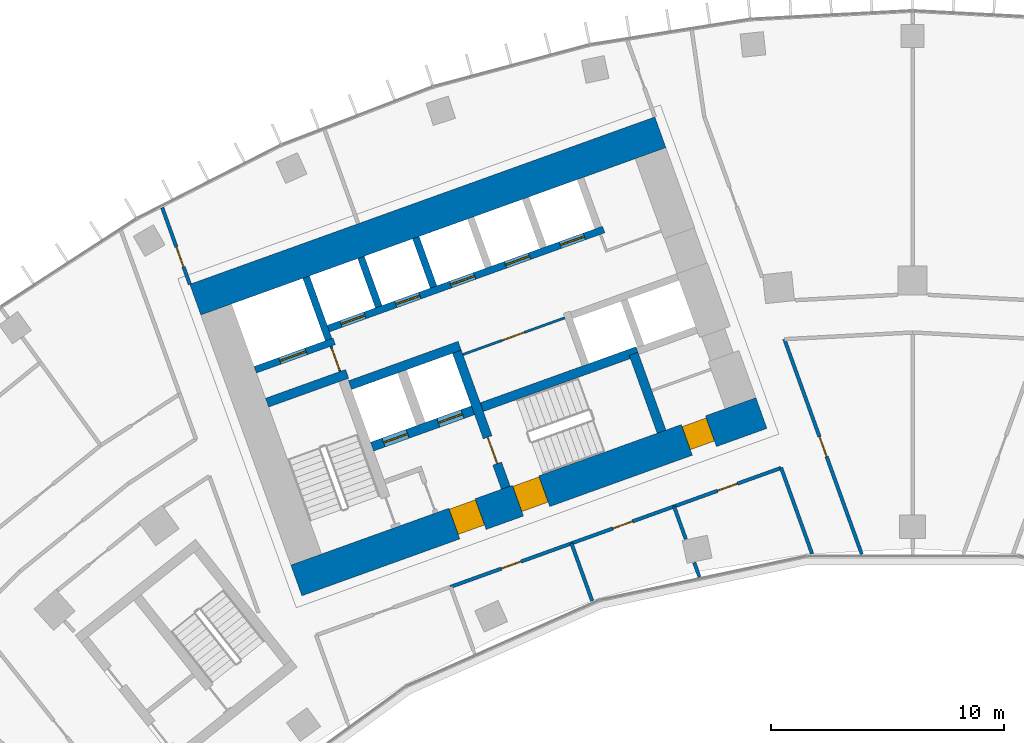
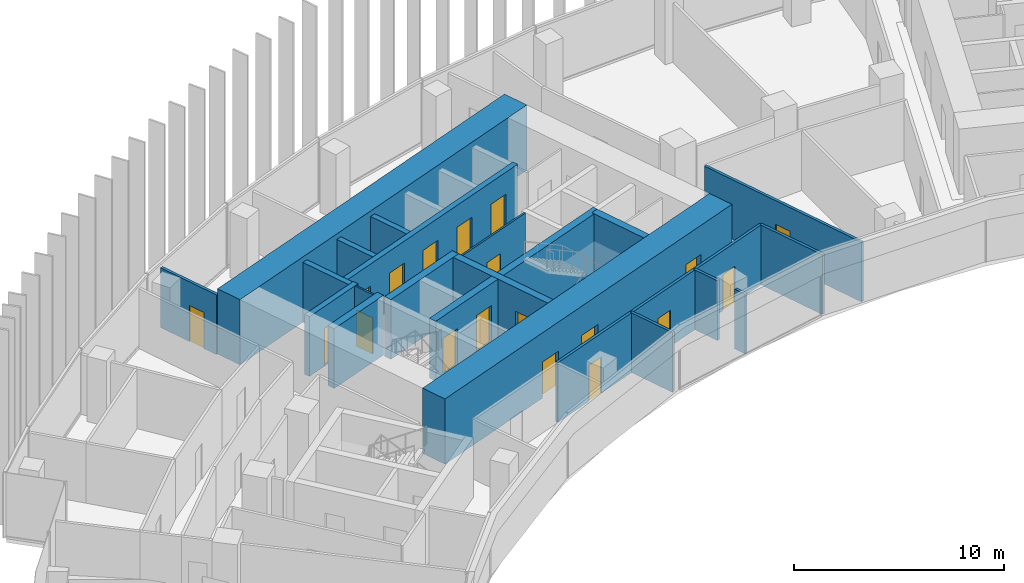
# One storey, part 16 of 22: 23 walls, 19 doors, 19 openings.
"""IFC4 building model written with IfcOpenShell, lengths in metres."""

from ifc_helpers import new_model, si_unit, direction, frame, frame_2d, origin, place, context, subcontext, project, spatial, rectangle, extrude, material, layer, layer_set, type_object, element, fill, save


model = new_model("IFC4")

# Units and contexts
model_context = context("Model", 3, precision=1e-05, world=origin(), true_north=direction((0.0, 1.0)))
body_context = subcontext(model_context, "Body", "Model", "MODEL_VIEW")
ifc_project = project(units=[si_unit("LENGTHUNIT", "METRE"), si_unit("AREAUNIT", "SQUARE_METRE"), si_unit("VOLUMEUNIT", "CUBIC_METRE"), si_unit("PLANEANGLEUNIT", "RADIAN"), si_unit("MASSUNIT", "GRAM", prefix="KILO")], contexts=[model_context])

# Site, building, storey
site_placement = place(None, origin())
site = spatial("IfcSite", under=ifc_project, at=site_placement, CompositionType="ELEMENT")
building_placement = place(site_placement, origin())
building = spatial("IfcBuilding", under=site, at=building_placement, Name="Stone Belt Terrace Tower", CompositionType="ELEMENT")
storey_placement = place(building_placement, frame((0.0, 0.0, 155.39990234375)))
storey = spatial("IfcBuildingStorey", under=building, at=storey_placement, Name="L37", CompositionType="ELEMENT", Elevation=155.39990234375)

# Wall, opening, door
ifc_material_1 = material(Name="Plasterboard partition")
ifc_layer_1 = layer(ifc_material_1, 0.10009765625)
ifc_layer_set_1 = layer_set([ifc_layer_1], Name="Core partition 100")
wall_type_1 = type_object("IfcWallType", Name="Core partition 100", PredefinedType="PARTITIONING", material=ifc_layer_set_1)
wall_1_placement = place(storey_placement, frame((-24.555908203125, 51.10400390625, 0.0), z_axis=(0.0, 0.0, 1.0), x_axis=(-0.338621735342, 0.94092258999, 0.0)))
wall_1 = element("IfcWall", 1, at=wall_1_placement, inside=storey, type_object=wall_type_1, Name="Core A wall", PredefinedType="PARTITIONING", context=body_context, shape_type="SweptSolid", body=[
    extrude(rectangle(XDim=1.14990234375, YDim=0.10009765625, at=frame_2d((0.574951171875, 0.0))), origin(), (0.0, 0.0, 1.0), 3.47998046875),
])
opening_1_placement = place(wall_1_placement, frame((0.050048828125, 0.0, 0.0)))
opening_1 = element("IfcOpeningElement", 2, at=opening_1_placement, cuts=wall_1, Name="Opening L37-C03", PredefinedType="OPENING", context=body_context, shape_type="SweptSolid", body=[
    extrude(rectangle(XDim=1.0, YDim=2.10009765625, at=frame_2d((0.5, 1.050048828125))), frame((0.0, 0.06005859375, 0.0), z_axis=(0.0, -1.0, 0.0), x_axis=(1.0, 0.0, 0.0)), (0.0, 0.0, 1.0), 0.1201171875),
])
ifc_material_2 = material(Name="Timber door leaf", Category="wood")
door_type_1 = type_object("IfcDoorType", Name="Core room door 1000", OperationType="SINGLE_SWING_LEFT", PredefinedType="DOOR", material=ifc_material_2)
door_1_placement = place(opening_1_placement, origin())
door_1 = element("IfcDoor", 3, at=door_1_placement, inside=storey, type_object=door_type_1, Name="Service lift lobby door core A", OperationType="SINGLE_SWING_LEFT", OverallHeight=2.10009765625, OverallWidth=1.0, PredefinedType="DOOR", context=body_context, shape_type="SweptSolid", body=[
    extrude(rectangle(XDim=1.0, YDim=2.10009765625, at=frame_2d((0.5, 1.050048828125))), frame((0.0, 0.02490234375, 0.0), z_axis=(0.0, -1.0, 0.0), x_axis=(1.0, 0.0, 0.0)), (0.0, 0.0, 1.0), 0.050048828125),
])
fill(opening_1, door_1)

wall_2_placement = place(storey_placement, frame((-19.29052734375, 51.829833984375, 0.0), z_axis=(0.0, 0.0, 1.0), x_axis=(0.940930240745, 0.338600475563, 0.0)))
wall_2 = element("IfcWall", 4, at=wall_2_placement, inside=storey, type_object=wall_type_1, Name="Core A wall", PredefinedType="PARTITIONING", context=body_context, shape_type="SweptSolid", body=[
    extrude(rectangle(XDim=4.64990234375, YDim=0.10009765625, at=frame_2d((2.324951171875, 0.0))), origin(), (0.0, 0.0, 1.0), 3.47998046875),
])
opening_2_placement = place(wall_2_placement, frame((1.800048828125, 0.0, 0.0)))
opening_2 = element("IfcOpeningElement", 5, at=opening_2_placement, cuts=wall_2, Name="Opening L37-C02", PredefinedType="OPENING", context=body_context, shape_type="SweptSolid", body=[
    extrude(rectangle(XDim=1.0, YDim=2.10009765625, at=frame_2d((0.5, 1.050048828125))), frame((0.0, 0.06005859375, 0.0), z_axis=(0.0, -1.0, 0.0), x_axis=(1.0, 0.0, 0.0)), (0.0, 0.0, 1.0), 0.1201171875),
])
door_2_placement = place(opening_2_placement, origin())
door_2 = element("IfcDoor", 6, at=door_2_placement, inside=storey, type_object=door_type_1, Name="Door to Server room core A", OperationType="SINGLE_SWING_LEFT", OverallHeight=2.10009765625, OverallWidth=1.0, PredefinedType="DOOR", context=body_context, shape_type="SweptSolid", body=[
    extrude(rectangle(XDim=1.0, YDim=2.10009765625, at=frame_2d((0.5, 1.050048828125))), frame((0.0, 0.02490234375, 0.0), z_axis=(0.0, -1.0, 0.0), x_axis=(1.0, 0.0, 0.0)), (0.0, 0.0, 1.0), 0.050048828125),
])
fill(opening_2, door_2)

# Wall, openings, doors
ifc_material_3 = material(Name="Concrete B80", Category="concrete")
ifc_layer_2 = layer(ifc_material_3, 1.39990234375)
ifc_layer_set_2 = layer_set([ifc_layer_2], Name="Core wall 1400 B80")
wall_type_2 = type_object("IfcWallType", Name="Core wall 1400 B80", PredefinedType="SHEAR", material=ifc_layer_set_2)
wall_3_placement = place(storey_placement, frame((-26.430908203125, 42.139404296875, 0.0), z_axis=(0.0, 0.0, 1.0), x_axis=(0.940923374003, 0.33861955681, 0.0)))
wall_3 = element("IfcWall", 7, at=wall_3_placement, inside=storey, type_object=wall_type_2, Name="Core A wall concave L37", PredefinedType="SHEAR", context=body_context, shape_type="SweptSolid", body=[
    extrude(rectangle(XDim=21.199951171875, YDim=1.39990234375, at=frame_2d((10.60009765625, 0.0))), origin(), (0.0, 0.0, 1.0), 3.800048828125),
])
opening_3_placement = place(wall_3_placement, frame((7.199951171875, 0.0, 0.0)))
opening_3 = element("IfcOpeningElement", 8, at=opening_3_placement, cuts=wall_3, Name="Opening L37-C07", PredefinedType="OPENING", context=body_context, shape_type="SweptSolid", body=[
    extrude(rectangle(XDim=1.199951171875, YDim=2.10009765625, at=frame_2d((0.60009765625, 1.050048828125))), frame((0.0, 0.7099609375, 0.0), z_axis=(0.0, -1.0, 0.0), x_axis=(1.0, 0.0, 0.0)), (0.0, 0.0, 1.0), 1.419921875),
])
opening_4_placement = place(wall_3_placement, frame((10.099853515625, 0.0, 0.0)))
opening_4 = element("IfcOpeningElement", 9, at=opening_4_placement, cuts=wall_3, Name="Opening L37-C09", PredefinedType="OPENING", context=body_context, shape_type="SweptSolid", body=[
    extrude(rectangle(XDim=1.199951171875, YDim=2.10009765625, at=frame_2d((0.60009765625, 1.050048828125))), frame((0.0, 0.7099609375, 0.0), z_axis=(0.0, -1.0, 0.0), x_axis=(1.0, 0.0, 0.0)), (0.0, 0.0, 1.0), 1.419921875),
])
opening_5_placement = place(wall_3_placement, frame((17.800048828125, 0.0, 0.0)))
opening_5 = element("IfcOpeningElement", 10, at=opening_5_placement, cuts=wall_3, Name="Opening L37-C11", PredefinedType="OPENING", context=body_context, shape_type="SweptSolid", body=[
    extrude(rectangle(XDim=1.10009765625, YDim=2.10009765625, at=frame_2d((0.550048828125, 1.050048828125))), frame((0.0, 0.7099609375, 0.0), z_axis=(0.0, -1.0, 0.0), x_axis=(1.0, 0.0, 0.0)), (0.0, 0.0, 1.0), 1.419921875),
])
door_type_2 = type_object("IfcDoorType", Name="Core room door 1100", OperationType="SINGLE_SWING_LEFT", PredefinedType="DOOR", material=ifc_material_2)
door_3_placement = place(opening_5_placement, origin())
door_3 = element("IfcDoor", 11, at=door_3_placement, inside=storey, type_object=door_type_2, Name="Door to Cleaner's store core A", OperationType="SINGLE_SWING_LEFT", OverallHeight=2.10009765625, OverallWidth=1.10009765625, PredefinedType="DOOR", context=body_context, shape_type="SweptSolid", body=[
    extrude(rectangle(XDim=1.10009765625, YDim=2.10009765625, at=frame_2d((0.550048828125, 1.050048828125))), frame((0.0, 0.60498046875, 0.0), z_axis=(0.0, -1.0, 0.0), x_axis=(1.0, 0.0, 0.0)), (0.0, 0.0, 1.0), 1.050048828125),
])
fill(opening_5, door_3)
ifc_material_4 = material(Name="Steel door leaf", Category="steel")
door_type_3 = type_object("IfcDoorType", Name="Fire-fighting lobby door 1200", OperationType="SINGLE_SWING_LEFT", PredefinedType="DOOR", material=ifc_material_4)
door_4_placement = place(opening_3_placement, origin())
door_4 = element("IfcDoor", 12, at=door_4_placement, inside=storey, type_object=door_type_3, Name="Fire-fighting lobby door core A", OperationType="SINGLE_SWING_LEFT", OverallHeight=2.10009765625, OverallWidth=1.199951171875, PredefinedType="DOOR", context=body_context, shape_type="SweptSolid", body=[
    extrude(rectangle(XDim=1.199951171875, YDim=2.10009765625, at=frame_2d((0.60009765625, 1.050048828125))), frame((0.0, 0.655029296875, 0.0), z_axis=(0.0, -1.0, 0.0), x_axis=(1.0, 0.0, 0.0)), (0.0, 0.0, 1.0), 1.14990234375),
])
fill(opening_3, door_4)
door_type_4 = type_object("IfcDoorType", Name="Stair door 1200", OperationType="SINGLE_SWING_LEFT", PredefinedType="DOOR", material=ifc_material_4)
door_5_placement = place(opening_4_placement, origin())
door_5 = element("IfcDoor", 13, at=door_5_placement, inside=storey, type_object=door_type_4, Name="Stair 2 exit door core A", OperationType="SINGLE_SWING_RIGHT", OverallHeight=2.10009765625, OverallWidth=1.199951171875, PredefinedType="DOOR", context=body_context, shape_type="SweptSolid", body=[
    extrude(rectangle(XDim=1.199951171875, YDim=2.10009765625, at=frame_2d((0.60009765625, 1.050048828125))), frame((0.0, 0.655029296875, 0.0), z_axis=(0.0, -1.0, 0.0), x_axis=(1.0, 0.0, 0.0)), (0.0, 0.0, 1.0), 1.14990234375),
])
fill(opening_4, door_5)

# Walls
wall_4_placement = place(storey_placement, frame((-30.765380859375, 54.18310546875, 0.0), z_axis=(0.0, 0.0, 1.0), x_axis=(0.940919704758, 0.338629752382, 0.0)))
element("IfcWall", 14, at=wall_4_placement, inside=storey, type_object=wall_type_2, Name="Core A wall convex L37", PredefinedType="SHEAR", context=body_context, shape_type="SweptSolid", body=[
    extrude(rectangle(XDim=21.199951171875, YDim=1.39990234375, at=frame_2d((10.60009765625, 0.0))), origin(), (0.0, 0.0, 1.0), 3.800048828125),
])
ifc_layer_3 = layer(ifc_material_3, 0.39990234375)
ifc_layer_set_3 = layer_set([ifc_layer_3], Name="Fire-fighting lift shaft wall 400")
wall_type_3 = type_object("IfcWallType", Name="Fire-fighting lift shaft wall 400", PredefinedType="SHEAR", material=ifc_layer_set_3)
wall_5_placement = place(storey_placement, frame((-24.130615234375, 50.512939453125, 0.0), z_axis=(0.0, 0.0, 1.0), x_axis=(0.94091168377, 0.338652038744, 0.0)))
element("IfcWall", 15, at=wall_5_placement, inside=storey, type_object=wall_type_3, Name="Core A wall", PredefinedType="SHEAR", context=body_context, shape_type="SweptSolid", body=[
    extrude(rectangle(XDim=5.000244140625, YDim=0.39990234375, at=frame_2d((2.5, 0.0))), origin(), (0.0, 0.0, 1.0), 3.47998046875),
])

# Wall, opening, door
ifc_layer_4 = layer(ifc_material_3, 0.300048828125)
ifc_layer_set_4 = layer_set([ifc_layer_4], Name="Lift shaft wall 300")
wall_type_4 = type_object("IfcWallType", Name="Lift shaft wall 300", PredefinedType="SHEAR", material=ifc_layer_set_4)
wall_6_placement = place(storey_placement, frame((-28.195068359375, 51.17578125, 0.0), z_axis=(0.0, 0.0, 1.0), x_axis=(0.940901243567, 0.338681044427, 0.0)))
wall_6 = element("IfcWall", 16, at=wall_6_placement, inside=storey, type_object=wall_type_4, Name="Core A wall", PredefinedType="SHEAR", context=body_context, shape_type="SweptSolid", body=[
    extrude(rectangle(XDim=3.599853515625, YDim=0.300048828125, at=frame_2d((1.7998046875, 0.0))), origin(), (0.0, 0.0, 1.0), 3.47998046875),
])
opening_6_placement = place(wall_6_placement, frame((1.1201171875, 0.0, 0.0)))
opening_6 = element("IfcOpeningElement", 17, at=opening_6_placement, cuts=wall_6, Name="Opening L37-LD08", PredefinedType="OPENING", context=body_context, shape_type="SweptSolid", body=[
    extrude(rectangle(XDim=1.199951171875, YDim=2.199951171875, at=frame_2d((0.60009765625, 1.10009765625))), frame((0.0, 0.159912109375, 0.0), z_axis=(0.0, -1.0, 0.0), x_axis=(1.0, 0.0, 0.0)), (0.0, 0.0, 1.0), 0.320068359375),
])
ifc_material_5 = material(Name="Stainless steel door leaf", Category="steel")
door_type_5 = type_object("IfcDoorType", Name="Landing door 1200", OperationType="SLIDING_TO_LEFT", PredefinedType="DOOR", material=ifc_material_5)
door_6_placement = place(opening_6_placement, origin())
door_6 = element("IfcDoor", 18, at=door_6_placement, inside=storey, type_object=door_type_5, Name="Landing door SV1 core A", OperationType="SLIDING_TO_LEFT", OverallHeight=2.199951171875, OverallWidth=1.199951171875, PredefinedType="DOOR", context=body_context, shape_type="SweptSolid", body=[
    extrude(rectangle(XDim=1.199951171875, YDim=2.199951171875, at=frame_2d((0.60009765625, 1.10009765625))), frame((0.0, 0.02490234375, 0.0), z_axis=(0.0, -1.0, 0.0), x_axis=(1.0, 0.0, 0.0)), (0.0, 0.0, 1.0), 0.050048828125),
])
fill(opening_6, door_6)

# Wall
wall_7_placement = place(storey_placement, frame((-25.046875, 52.46826171875, 0.0), z_axis=(0.0, 0.0, 1.0), x_axis=(-0.338549588058, 0.940948551423, 0.0)))
element("IfcWall", 19, at=wall_7_placement, inside=storey, type_object=wall_type_4, Name="Core A wall", PredefinedType="SHEAR", context=body_context, shape_type="SweptSolid", body=[
    extrude(rectangle(XDim=2.849853515625, YDim=0.300048828125, at=frame_2d((1.4248046875, 0.0))), origin(), (0.0, 0.0, 1.0), 3.47998046875),
])

# Wall, openings, doors
wall_8_placement = place(storey_placement, frame((-25.05810546875, 52.9423828125, 0.0), z_axis=(0.0, 0.0, 1.0), x_axis=(0.940921381676, 0.338625092847, 0.0)))
wall_8 = element("IfcWall", 20, at=wall_8_placement, inside=storey, type_object=wall_type_4, Name="Core A wall", PredefinedType="SHEAR", context=body_context, shape_type="SweptSolid", body=[
    extrude(rectangle(XDim=12.550048828125, YDim=0.300048828125, at=frame_2d((6.27490234375, 0.0))), origin(), (0.0, 0.0, 1.0), 3.47998046875),
])
opening_7_placement = place(wall_8_placement, frame((0.570068359375, 0.0, 0.0)))
opening_7 = element("IfcOpeningElement", 21, at=opening_7_placement, cuts=wall_8, Name="Opening L37-LD01", PredefinedType="OPENING", context=body_context, shape_type="SweptSolid", body=[
    extrude(rectangle(XDim=1.10009765625, YDim=2.199951171875, at=frame_2d((0.550048828125, 1.10009765625))), frame((0.0, 0.159912109375, 0.0), z_axis=(0.0, -1.0, 0.0), x_axis=(1.0, 0.0, 0.0)), (0.0, 0.0, 1.0), 0.320068359375),
])
opening_8_placement = place(wall_8_placement, frame((3.070068359375, 0.0, 0.0)))
opening_8 = element("IfcOpeningElement", 22, at=opening_8_placement, cuts=wall_8, Name="Opening L37-LD02", PredefinedType="OPENING", context=body_context, shape_type="SweptSolid", body=[
    extrude(rectangle(XDim=1.10009765625, YDim=2.199951171875, at=frame_2d((0.550048828125, 1.10009765625))), frame((0.0, 0.159912109375, 0.0), z_axis=(0.0, -1.0, 0.0), x_axis=(1.0, 0.0, 0.0)), (0.0, 0.0, 1.0), 0.320068359375),
])
opening_9_placement = place(wall_8_placement, frame((5.570068359375, 0.0, 0.0)))
opening_9 = element("IfcOpeningElement", 23, at=opening_9_placement, cuts=wall_8, Name="Opening L37-LD03", PredefinedType="OPENING", context=body_context, shape_type="SweptSolid", body=[
    extrude(rectangle(XDim=1.10009765625, YDim=2.199951171875, at=frame_2d((0.550048828125, 1.10009765625))), frame((0.0, 0.159912109375, 0.0), z_axis=(0.0, -1.0, 0.0), x_axis=(1.0, 0.0, 0.0)), (0.0, 0.0, 1.0), 0.320068359375),
])
opening_10_placement = place(wall_8_placement, frame((8.070068359375, 0.0, 0.0)))
opening_10 = element("IfcOpeningElement", 24, at=opening_10_placement, cuts=wall_8, Name="Opening L37-LD04", PredefinedType="OPENING", context=body_context, shape_type="SweptSolid", body=[
    extrude(rectangle(XDim=1.10009765625, YDim=2.199951171875, at=frame_2d((0.550048828125, 1.10009765625))), frame((0.0, 0.159912109375, 0.0), z_axis=(0.0, -1.0, 0.0), x_axis=(1.0, 0.0, 0.0)), (0.0, 0.0, 1.0), 0.320068359375),
])
opening_11_placement = place(wall_8_placement, frame((10.570068359375, 0.0, 0.0)))
opening_11 = element("IfcOpeningElement", 25, at=opening_11_placement, cuts=wall_8, Name="Opening L37-LD05", PredefinedType="OPENING", context=body_context, shape_type="SweptSolid", body=[
    extrude(rectangle(XDim=1.10009765625, YDim=2.199951171875, at=frame_2d((0.550048828125, 1.10009765625))), frame((0.0, 0.159912109375, 0.0), z_axis=(0.0, -1.0, 0.0), x_axis=(1.0, 0.0, 0.0)), (0.0, 0.0, 1.0), 0.320068359375),
])
door_type_6 = type_object("IfcDoorType", Name="Landing door 1100", OperationType="SLIDING_TO_LEFT", PredefinedType="DOOR", material=ifc_material_5)
door_7_placement = place(opening_7_placement, origin())
door_7 = element("IfcDoor", 26, at=door_7_placement, inside=storey, type_object=door_type_6, Name="Landing door MR1 core A", OperationType="SLIDING_TO_LEFT", OverallHeight=2.199951171875, OverallWidth=1.10009765625, PredefinedType="DOOR", context=body_context, shape_type="SweptSolid", body=[
    extrude(rectangle(XDim=1.10009765625, YDim=2.199951171875, at=frame_2d((0.550048828125, 1.10009765625))), frame((0.0, 0.02490234375, 0.0), z_axis=(0.0, -1.0, 0.0), x_axis=(1.0, 0.0, 0.0)), (0.0, 0.0, 1.0), 0.050048828125),
])
fill(opening_7, door_7)
door_8_placement = place(opening_8_placement, origin())
door_8 = element("IfcDoor", 27, at=door_8_placement, inside=storey, type_object=door_type_6, Name="Landing door MR2 core A", OperationType="SLIDING_TO_LEFT", OverallHeight=2.199951171875, OverallWidth=1.10009765625, PredefinedType="DOOR", context=body_context, shape_type="SweptSolid", body=[
    extrude(rectangle(XDim=1.10009765625, YDim=2.199951171875, at=frame_2d((0.550048828125, 1.10009765625))), frame((0.0, 0.02490234375, 0.0), z_axis=(0.0, -1.0, 0.0), x_axis=(1.0, 0.0, 0.0)), (0.0, 0.0, 1.0), 0.050048828125),
])
fill(opening_8, door_8)
door_9_placement = place(opening_9_placement, origin())
door_9 = element("IfcDoor", 28, at=door_9_placement, inside=storey, type_object=door_type_6, Name="Landing door MR3 core A", OperationType="SLIDING_TO_LEFT", OverallHeight=2.199951171875, OverallWidth=1.10009765625, PredefinedType="DOOR", context=body_context, shape_type="SweptSolid", body=[
    extrude(rectangle(XDim=1.10009765625, YDim=2.199951171875, at=frame_2d((0.550048828125, 1.10009765625))), frame((0.0, 0.02490234375, 0.0), z_axis=(0.0, -1.0, 0.0), x_axis=(1.0, 0.0, 0.0)), (0.0, 0.0, 1.0), 0.050048828125),
])
fill(opening_9, door_9)
door_10_placement = place(opening_10_placement, origin())
door_10 = element("IfcDoor", 29, at=door_10_placement, inside=storey, type_object=door_type_6, Name="Landing door MR4 core A", OperationType="SLIDING_TO_LEFT", OverallHeight=2.199951171875, OverallWidth=1.10009765625, PredefinedType="DOOR", context=body_context, shape_type="SweptSolid", body=[
    extrude(rectangle(XDim=1.10009765625, YDim=2.199951171875, at=frame_2d((0.550048828125, 1.10009765625))), frame((0.0, 0.02490234375, 0.0), z_axis=(0.0, -1.0, 0.0), x_axis=(1.0, 0.0, 0.0)), (0.0, 0.0, 1.0), 0.050048828125),
])
fill(opening_10, door_10)
door_11_placement = place(opening_11_placement, origin())
door_11 = element("IfcDoor", 30, at=door_11_placement, inside=storey, type_object=door_type_6, Name="Landing door MR5 core A", OperationType="SLIDING_TO_LEFT", OverallHeight=2.199951171875, OverallWidth=1.10009765625, PredefinedType="DOOR", context=body_context, shape_type="SweptSolid", body=[
    extrude(rectangle(XDim=1.10009765625, YDim=2.199951171875, at=frame_2d((0.550048828125, 1.10009765625))), frame((0.0, 0.02490234375, 0.0), z_axis=(0.0, -1.0, 0.0), x_axis=(1.0, 0.0, 0.0)), (0.0, 0.0, 1.0), 0.050048828125),
])
fill(opening_11, door_11)

# Walls
wall_9_placement = place(storey_placement, frame((-22.897705078125, 53.87939453125, 0.0), z_axis=(0.0, 0.0, 1.0), x_axis=(-0.338535034312, 0.940953787677, 0.0)))
element("IfcWall", 31, at=wall_9_placement, inside=storey, type_object=wall_type_4, Name="Core A wall", PredefinedType="SHEAR", context=body_context, shape_type="SweptSolid", body=[
    extrude(rectangle(XDim=2.25, YDim=0.300048828125, at=frame_2d((1.125, 0.0))), origin(), (0.0, 0.0, 1.0), 3.47998046875),
])
wall_10_placement = place(storey_placement, frame((-20.54541015625, 54.72607421875, 0.0), z_axis=(0.0, 0.0, 1.0), x_axis=(-0.338569601369, 0.940941350472, 0.0)))
element("IfcWall", 32, at=wall_10_placement, inside=storey, type_object=wall_type_4, Name="Core A wall", PredefinedType="SHEAR", context=body_context, shape_type="SweptSolid", body=[
    extrude(rectangle(XDim=2.249755859375, YDim=0.300048828125, at=frame_2d((1.125, 0.0))), origin(), (0.0, 0.0, 1.0), 3.47998046875),
])

# Wall, opening, door
ifc_material_6 = material(Name="Gypsum board partition")
ifc_layer_5 = layer(ifc_material_6, 0.14990234375)
ifc_layer_set_5 = layer_set([ifc_layer_5], Name="PARTITION 150 EI 60")
wall_type_5 = type_object("IfcWallType", Name="PARTITION 150 EI 60", PredefinedType="PARTITIONING", material=ifc_layer_set_5)
wall_11_placement = place(storey_placement, frame((-32.185791015625, 58.131103515625, 0.0), z_axis=(0.0, 0.0, 1.0), x_axis=(0.338662585219, -0.940907887826, 0.0)))
wall_11 = element("IfcWall", 33, at=wall_11_placement, inside=storey, type_object=wall_type_5, Name="L37/wall/i002", PredefinedType="PARTITIONING", context=body_context, shape_type="SweptSolid", body=[
    extrude(rectangle(XDim=3.49560546875, YDim=0.14990234375, at=frame_2d((1.747802734375, 0.0))), origin(), (0.0, 0.0, 1.0), 3.47998046875),
])
opening_12_placement = place(wall_11_placement, frame((1.796630859375, 0.0, 0.0)))
opening_12 = element("IfcOpeningElement", 34, at=opening_12_placement, cuts=wall_11, Name="Opening D-C1-05", PredefinedType="OPENING", context=body_context, shape_type="SweptSolid", body=[
    extrude(rectangle(XDim=0.89990234375, YDim=2.10009765625, at=frame_2d((0.449951171875, 1.050048828125))), frame((0.0, 0.0849609375, 0.0), z_axis=(0.0, -1.0, 0.0), x_axis=(1.0, 0.0, 0.0)), (0.0, 0.0, 1.0), 0.169921875),
])
door_type_7 = type_object("IfcDoorType", Name="OFFICE DOOR 900 X 2100", OperationType="NOTDEFINED", PredefinedType="DOOR", material=ifc_material_2)
door_12_placement = place(opening_12_placement, origin())
door_12 = element("IfcDoor", 35, at=door_12_placement, inside=storey, type_object=door_type_7, Name="L37/door/i05", OperationType="SINGLE_SWING_RIGHT", OverallHeight=2.10009765625, OverallWidth=0.89990234375, PredefinedType="DOOR", context=body_context, shape_type="SweptSolid", body=[
    extrude(rectangle(XDim=0.89990234375, YDim=2.10009765625, at=frame_2d((0.449951171875, 1.050048828125))), frame((0.0, 0.02490234375, 0.0), z_axis=(0.0, -1.0, 0.0), x_axis=(1.0, 0.0, 0.0)), (0.0, 0.0, 1.0), 0.050048828125),
])
fill(opening_12, door_12)

# Wall
wall_12_placement = place(storey_placement, frame((-4.31005859375, 43.27880859375, 0.0), z_axis=(0.0, 0.0, 1.0), x_axis=(-0.338569683937, 0.940941320763, 0.0)))
element("IfcWall", 36, at=wall_12_placement, inside=storey, type_object=wall_type_5, Name="L37/wall/i007", PredefinedType="PARTITIONING", context=body_context, shape_type="SweptSolid", body=[
    extrude(rectangle(XDim=3.9248046875, YDim=0.14990234375, at=frame_2d((1.96240234375, 0.0))), origin(), (0.0, 0.0, 1.0), 3.47998046875),
])

# Wall, opening, door
wall_13_placement = place(storey_placement, frame((-5.5009765625, 52.492919921875, 0.0), z_axis=(0.0, 0.0, 1.0), x_axis=(0.338654259988, -0.940910884299, 0.0)))
wall_13 = element("IfcWall", 37, at=wall_13_placement, inside=storey, type_object=wall_type_5, Name="L37/wall/i009", PredefinedType="PARTITIONING", context=body_context, shape_type="SweptSolid", body=[
    extrude(rectangle(XDim=9.81103515625, YDim=0.14990234375, at=frame_2d((4.905517578125, 0.0))), origin(), (0.0, 0.0, 1.0), 3.47998046875),
])
opening_13_placement = place(wall_13_placement, frame((4.45556640625, 0.0, 0.0)))
opening_13 = element("IfcOpeningElement", 38, at=opening_13_placement, cuts=wall_13, Name="Opening D-C1-26", PredefinedType="OPENING", context=body_context, shape_type="SweptSolid", body=[
    extrude(rectangle(XDim=0.89990234375, YDim=2.10009765625, at=frame_2d((0.449951171875, 1.050048828125))), frame((0.0, 0.0849609375, 0.0), z_axis=(0.0, -1.0, 0.0), x_axis=(1.0, 0.0, 0.0)), (0.0, 0.0, 1.0), 0.169921875),
])
door_13_placement = place(opening_13_placement, origin())
door_13 = element("IfcDoor", 39, at=door_13_placement, inside=storey, type_object=door_type_7, Name="L37/door/i26", OperationType="SINGLE_SWING_RIGHT", OverallHeight=2.10009765625, OverallWidth=0.89990234375, PredefinedType="DOOR", context=body_context, shape_type="SweptSolid", body=[
    extrude(rectangle(XDim=0.89990234375, YDim=2.10009765625, at=frame_2d((0.449951171875, 1.050048828125))), frame((0.0, 0.02490234375, 0.0), z_axis=(0.0, -1.0, 0.0), x_axis=(1.0, 0.0, 0.0)), (0.0, 0.0, 1.0), 0.050048828125),
])
fill(opening_13, door_13)

wall_14_placement = place(storey_placement, frame((-14.625, 43.73095703125, 0.0), z_axis=(0.0, 0.0, 1.0), x_axis=(-0.940943779723, -0.338562850001, 0.0)))
wall_14 = element("IfcWall", 40, at=wall_14_placement, inside=storey, type_object=wall_type_5, Name="L37/wall/i013", PredefinedType="PARTITIONING", context=body_context, shape_type="SweptSolid", body=[
    extrude(rectangle(XDim=5.52001953125, YDim=0.14990234375, at=frame_2d((2.760009765625, 0.0))), origin(), (0.0, 0.0, 1.0), 3.47998046875),
])
opening_14_placement = place(wall_14_placement, frame((2.31005859375, 0.0, 0.0)))
opening_14 = element("IfcOpeningElement", 41, at=opening_14_placement, cuts=wall_14, Name="Opening D-C1-02", PredefinedType="OPENING", context=body_context, shape_type="SweptSolid", body=[
    extrude(rectangle(XDim=0.89990234375, YDim=2.10009765625, at=frame_2d((0.449951171875, 1.050048828125))), frame((0.0, 0.0849609375, 0.0), z_axis=(0.0, -1.0, 0.0), x_axis=(1.0, 0.0, 0.0)), (0.0, 0.0, 1.0), 0.169921875),
])
door_14_placement = place(opening_14_placement, origin())
door_14 = element("IfcDoor", 42, at=door_14_placement, inside=storey, type_object=door_type_7, Name="L37/door/i02", OperationType="SINGLE_SWING_RIGHT", OverallHeight=2.10009765625, OverallWidth=0.89990234375, PredefinedType="DOOR", context=body_context, shape_type="SweptSolid", body=[
    extrude(rectangle(XDim=0.89990234375, YDim=2.10009765625, at=frame_2d((0.449951171875, 1.050048828125))), frame((0.0, 0.02490234375, 0.0), z_axis=(0.0, -1.0, 0.0), x_axis=(1.0, 0.0, 0.0)), (0.0, 0.0, 1.0), 0.050048828125),
])
fill(opening_14, door_14)

wall_15_placement = place(storey_placement, frame((-10.22509765625, 45.31494140625, 0.0), z_axis=(0.0, 0.0, 1.0), x_axis=(-0.940913295412, -0.338647560919, 0.0)))
wall_15 = element("IfcWall", 43, at=wall_15_placement, inside=storey, type_object=wall_type_5, Name="L37/wall/i014", PredefinedType="PARTITIONING", context=body_context, shape_type="SweptSolid", body=[
    extrude(rectangle(XDim=4.68896484375, YDim=0.14990234375, at=frame_2d((2.344482421875, 0.0))), origin(), (0.0, 0.0, 1.0), 3.47998046875),
])
opening_15_placement = place(wall_15_placement, frame((1.89453125, 0.0, 0.0)))
opening_15 = element("IfcOpeningElement", 44, at=opening_15_placement, cuts=wall_15, Name="Opening D-C1-03", PredefinedType="OPENING", context=body_context, shape_type="SweptSolid", body=[
    extrude(rectangle(XDim=0.89990234375, YDim=2.10009765625, at=frame_2d((0.449951171875, 1.050048828125))), frame((0.0, 0.0849609375, 0.0), z_axis=(0.0, -1.0, 0.0), x_axis=(1.0, 0.0, 0.0)), (0.0, 0.0, 1.0), 0.169921875),
])
door_15_placement = place(opening_15_placement, origin())
door_15 = element("IfcDoor", 45, at=door_15_placement, inside=storey, type_object=door_type_7, Name="L37/door/i03", OperationType="SINGLE_SWING_RIGHT", OverallHeight=2.10009765625, OverallWidth=0.89990234375, PredefinedType="DOOR", context=body_context, shape_type="SweptSolid", body=[
    extrude(rectangle(XDim=0.89990234375, YDim=2.10009765625, at=frame_2d((0.449951171875, 1.050048828125))), frame((0.0, 0.02490234375, 0.0), z_axis=(0.0, -1.0, 0.0), x_axis=(1.0, 0.0, 0.0)), (0.0, 0.0, 1.0), 0.050048828125),
])
fill(opening_15, door_15)

wall_16_placement = place(storey_placement, frame((-5.636962890625, 46.966064453125, 0.0), z_axis=(0.0, 0.0, 1.0), x_axis=(-0.940952965864, -0.338537318522, 0.0)))
wall_16 = element("IfcWall", 46, at=wall_16_placement, inside=storey, type_object=wall_type_5, Name="L37/wall/i015", PredefinedType="PARTITIONING", context=body_context, shape_type="SweptSolid", body=[
    extrude(rectangle(XDim=4.888671875, YDim=0.14990234375, at=frame_2d((2.4443359375, 0.0))), origin(), (0.0, 0.0, 1.0), 3.47998046875),
])
opening_16_placement = place(wall_16_placement, frame((1.994384765625, 0.0, 0.0)))
opening_16 = element("IfcOpeningElement", 47, at=opening_16_placement, cuts=wall_16, Name="Opening D-C1-04", PredefinedType="OPENING", context=body_context, shape_type="SweptSolid", body=[
    extrude(rectangle(XDim=0.89990234375, YDim=2.10009765625, at=frame_2d((0.449951171875, 1.050048828125))), frame((0.0, 0.0849609375, 0.0), z_axis=(0.0, -1.0, 0.0), x_axis=(1.0, 0.0, 0.0)), (0.0, 0.0, 1.0), 0.169921875),
])
door_16_placement = place(opening_16_placement, origin())
door_16 = element("IfcDoor", 48, at=door_16_placement, inside=storey, type_object=door_type_7, Name="L37/door/i04", OperationType="SINGLE_SWING_RIGHT", OverallHeight=2.10009765625, OverallWidth=0.89990234375, PredefinedType="DOOR", context=body_context, shape_type="SweptSolid", body=[
    extrude(rectangle(XDim=0.89990234375, YDim=2.10009765625, at=frame_2d((0.449951171875, 1.050048828125))), frame((0.0, 0.02490234375, 0.0), z_axis=(0.0, -1.0, 0.0), x_axis=(1.0, 0.0, 0.0)), (0.0, 0.0, 1.0), 0.050048828125),
])
fill(opening_16, door_16)

# Walls
wall_17_placement = place(storey_placement, frame((-14.631103515625, 43.72900390625, 0.0), z_axis=(0.0, 0.0, 1.0), x_axis=(0.338571450822, -0.940940685, 0.0)))
element("IfcWall", 49, at=wall_17_placement, inside=storey, type_object=wall_type_5, Name="L37/wall/i017", PredefinedType="PARTITIONING", context=body_context, shape_type="SweptSolid", body=[
    extrude(rectangle(XDim=2.62841796875, YDim=0.14990234375, at=frame_2d((1.314208984375, 0.0))), origin(), (0.0, 0.0, 1.0), 3.47998046875),
])
wall_18_placement = place(storey_placement, frame((-10.23095703125, 45.31298828125, 0.0), z_axis=(0.0, 0.0, 1.0), x_axis=(0.338818189928, -0.940851866222, 0.0)))
element("IfcWall", 50, at=wall_18_placement, inside=storey, type_object=wall_type_5, Name="L37/wall/i018", PredefinedType="PARTITIONING", context=body_context, shape_type="SweptSolid", body=[
    extrude(rectangle(XDim=1.48876953125, YDim=0.14990234375, at=frame_2d((0.744384765625, 0.0))), origin(), (0.0, 0.0, 1.0), 3.47998046875),
])
wall_19_placement = place(storey_placement, frame((-9.3642578125, 42.90576171875, 0.0), z_axis=(0.0, 0.0, 1.0), x_axis=(0.338680146918, -0.940901566628, 0.0)))
element("IfcWall", 51, at=wall_19_placement, inside=storey, type_object=wall_type_5, Name="L37/wall/i019", PredefinedType="PARTITIONING", context=body_context, shape_type="SweptSolid", body=[
    extrude(rectangle(XDim=0.65966796875, YDim=0.14990234375, at=frame_2d((0.329833984375, 0.0))), origin(), (0.0, 0.0, 1.0), 3.47998046875),
])
ifc_layer_6 = layer(ifc_material_3, 0.39990234375)
ifc_layer_set_6 = layer_set([ifc_layer_6], Name="Stair enclosure wall 400")
wall_type_6 = type_object("IfcWallType", Name="Stair enclosure wall 400", PredefinedType="SHEAR", material=ifc_layer_set_6)
wall_20_placement = place(storey_placement, frame((-27.687255859375, 49.764404296875, 0.0), z_axis=(0.0, 0.0, 1.0), x_axis=(0.940918954884, 0.338631835981, 0.0)))
element("IfcWall", 52, at=wall_20_placement, inside=storey, type_object=wall_type_6, Name="Core A wall", PredefinedType="SHEAR", context=body_context, shape_type="SweptSolid", body=[
    extrude(rectangle(XDim=3.650146484375, YDim=0.39990234375, at=frame_2d((1.8251953125, 0.0))), origin(), (0.0, 0.0, 1.0), 3.47998046875),
])

# Wall, openings, doors
wall_21_placement = place(storey_placement, frame((-23.182373046875, 47.87841796875, 0.0), z_axis=(0.0, 0.0, 1.0), x_axis=(0.940921101762, 0.338625870628, 0.0)))
wall_21 = element("IfcWall", 53, at=wall_21_placement, inside=storey, type_object=wall_type_6, Name="Core A wall", PredefinedType="SHEAR", context=body_context, shape_type="SweptSolid", body=[
    extrude(rectangle(XDim=12.10009765625, YDim=0.39990234375, at=frame_2d((6.050048828125, 0.0))), origin(), (0.0, 0.0, 1.0), 3.47998046875),
])
opening_17_placement = place(wall_21_placement, frame((0.52001953125, 0.0, 0.0)))
opening_17 = element("IfcOpeningElement", 54, at=opening_17_placement, cuts=wall_21, Name="Opening L37-LD06", PredefinedType="OPENING", context=body_context, shape_type="SweptSolid", body=[
    extrude(rectangle(XDim=1.10009765625, YDim=2.199951171875, at=frame_2d((0.550048828125, 1.10009765625))), frame((0.0, 0.2099609375, 0.0), z_axis=(0.0, -1.0, 0.0), x_axis=(1.0, 0.0, 0.0)), (0.0, 0.0, 1.0), 0.419921875),
])
opening_18_placement = place(wall_21_placement, frame((3.02001953125, 0.0, 0.0)))
opening_18 = element("IfcOpeningElement", 55, at=opening_18_placement, cuts=wall_21, Name="Opening L37-LD07", PredefinedType="OPENING", context=body_context, shape_type="SweptSolid", body=[
    extrude(rectangle(XDim=1.10009765625, YDim=2.199951171875, at=frame_2d((0.550048828125, 1.10009765625))), frame((0.0, 0.2099609375, 0.0), z_axis=(0.0, -1.0, 0.0), x_axis=(1.0, 0.0, 0.0)), (0.0, 0.0, 1.0), 0.419921875),
])
door_17_placement = place(opening_17_placement, origin())
door_17 = element("IfcDoor", 56, at=door_17_placement, inside=storey, type_object=door_type_6, Name="Landing door FF1 core A", OperationType="SLIDING_TO_LEFT", OverallHeight=2.199951171875, OverallWidth=1.10009765625, PredefinedType="DOOR", context=body_context, shape_type="SweptSolid", body=[
    extrude(rectangle(XDim=1.10009765625, YDim=2.199951171875, at=frame_2d((0.550048828125, 1.10009765625))), frame((0.0, 0.02490234375, 0.0), z_axis=(0.0, -1.0, 0.0), x_axis=(1.0, 0.0, 0.0)), (0.0, 0.0, 1.0), 0.050048828125),
])
fill(opening_17, door_17)
door_18_placement = place(opening_18_placement, origin())
door_18 = element("IfcDoor", 57, at=door_18_placement, inside=storey, type_object=door_type_6, Name="Landing door FF2 core A", OperationType="SLIDING_TO_LEFT", OverallHeight=2.199951171875, OverallWidth=1.10009765625, PredefinedType="DOOR", context=body_context, shape_type="SweptSolid", body=[
    extrude(rectangle(XDim=1.10009765625, YDim=2.199951171875, at=frame_2d((0.550048828125, 1.10009765625))), frame((0.0, 0.02490234375, 0.0), z_axis=(0.0, -1.0, 0.0), x_axis=(1.0, 0.0, 0.0)), (0.0, 0.0, 1.0), 0.050048828125),
])
fill(opening_18, door_18)

# Wall, opening, door
wall_22_placement = place(storey_placement, frame((-17.447021484375, 46.116455078125, 0.0), z_axis=(0.0, 0.0, 1.0), x_axis=(-0.33860791464, 0.940927563707, 0.0)))
wall_22 = element("IfcWall", 58, at=wall_22_placement, inside=storey, type_object=wall_type_6, Name="Core A wall", PredefinedType="SHEAR", context=body_context, shape_type="SweptSolid", body=[
    extrude(rectangle(XDim=6.199951171875, YDim=0.39990234375, at=frame_2d((3.10009765625, 0.0))), origin(), (0.0, 0.0, 1.0), 3.47998046875),
])
opening_19_placement = place(wall_22_placement, frame((1.10009765625, 0.0, 0.0)))
opening_19 = element("IfcOpeningElement", 59, at=opening_19_placement, cuts=wall_22, Name="Opening L37-C08", PredefinedType="OPENING", context=body_context, shape_type="SweptSolid", body=[
    extrude(rectangle(XDim=1.199951171875, YDim=2.10009765625, at=frame_2d((0.60009765625, 1.050048828125))), frame((0.0, 0.2099609375, 0.0), z_axis=(0.0, -1.0, 0.0), x_axis=(1.0, 0.0, 0.0)), (0.0, 0.0, 1.0), 0.419921875),
])
door_19_placement = place(opening_19_placement, origin())
door_19 = element("IfcDoor", 60, at=door_19_placement, inside=storey, type_object=door_type_4, Name="Stair 2 door core A", OperationType="SINGLE_SWING_LEFT", OverallHeight=2.10009765625, OverallWidth=1.199951171875, PredefinedType="DOOR", context=body_context, shape_type="SweptSolid", body=[
    extrude(rectangle(XDim=1.199951171875, YDim=2.10009765625, at=frame_2d((0.60009765625, 1.050048828125))), frame((0.0, 0.02490234375, 0.0), z_axis=(0.0, -1.0, 0.0), x_axis=(1.0, 0.0, 0.0)), (0.0, 0.0, 1.0), 0.050048828125),
])
fill(opening_19, door_19)

# Wall
wall_23_placement = place(storey_placement, frame((-10.766357421875, 48.520751953125, 0.0), z_axis=(0.0, 0.0, 1.0), x_axis=(-0.338626928157, 0.94092072117, 0.0)))
element("IfcWall", 61, at=wall_23_placement, inside=storey, type_object=wall_type_6, Name="Core A wall", PredefinedType="SHEAR", context=body_context, shape_type="SweptSolid", body=[
    extrude(rectangle(XDim=3.550048828125, YDim=0.39990234375, at=frame_2d((1.77490234375, 0.0))), origin(), (0.0, 0.0, 1.0), 3.47998046875),
])

save(model, "model.ifc")
